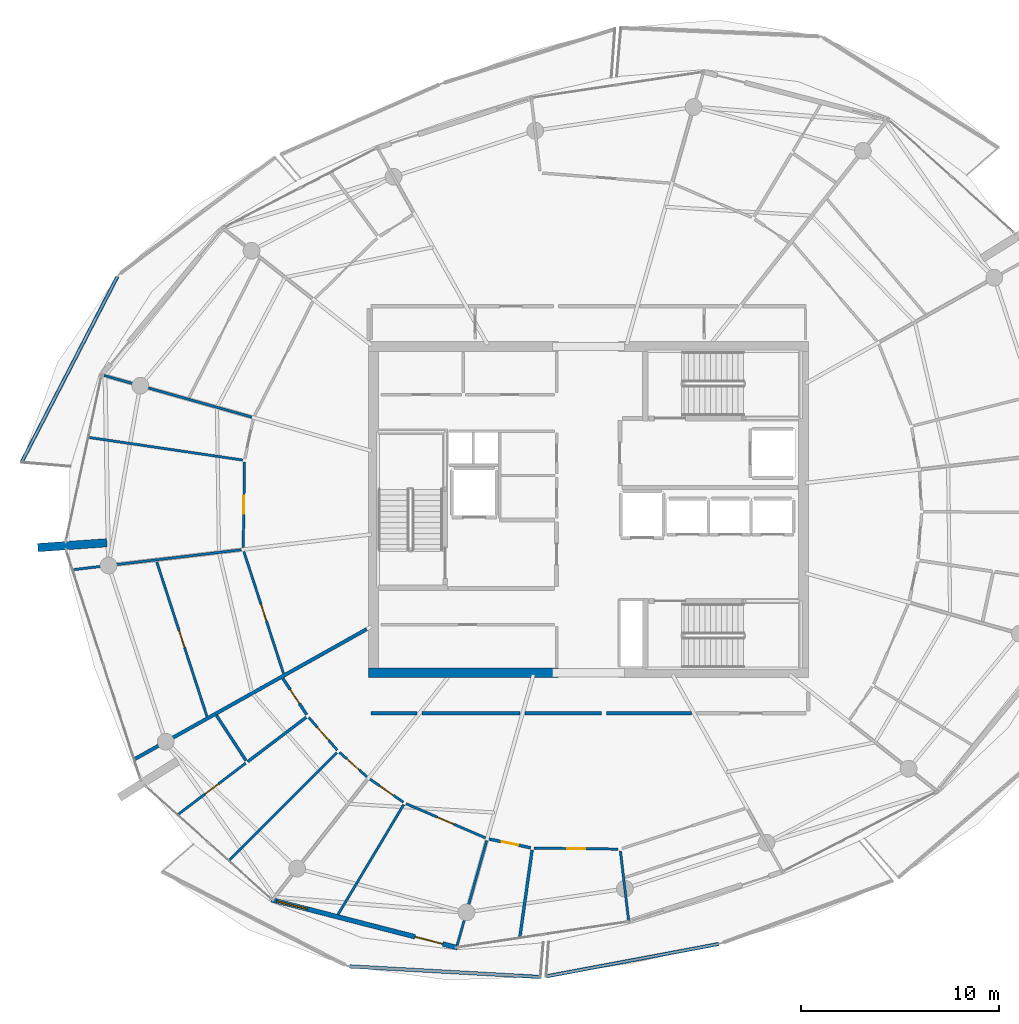
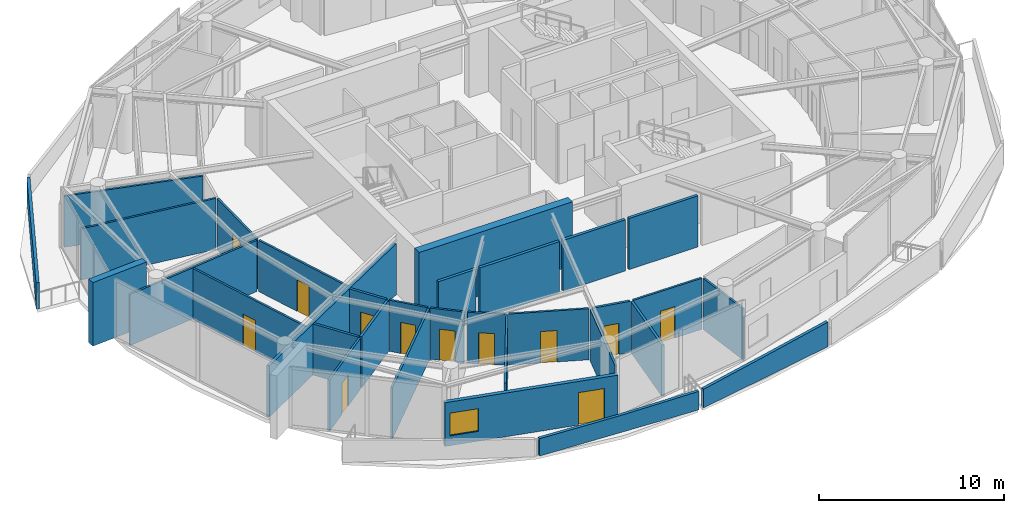
# One storey, part 10 of 20: 32 walls, 12 doors, 1 window, 13 openings.
"""IFC4 building model written with IfcOpenShell, lengths in metres."""

from ifc_helpers import new_model, si_unit, direction, frame, frame_2d, origin, place, context, subcontext, project, spatial, polyline, rectangle, outline, extrude, material, layer, layer_set, type_object, element, fill, save


model = new_model("IFC4")

# Units and contexts
model_context = context("Model", 3, precision=1e-05, world=origin(), true_north=direction((0.0, 1.0)))
body_context = subcontext(model_context, "Body", "Model", "MODEL_VIEW")
ifc_project = project(units=[si_unit("LENGTHUNIT", "METRE"), si_unit("AREAUNIT", "SQUARE_METRE"), si_unit("VOLUMEUNIT", "CUBIC_METRE"), si_unit("PLANEANGLEUNIT", "RADIAN"), si_unit("MASSUNIT", "GRAM", prefix="KILO")], contexts=[model_context])

# Site, building, storey
site_placement = place(None, origin())
site = spatial("IfcSite", under=ifc_project, at=site_placement, CompositionType="ELEMENT")
building_placement = place(site_placement, origin())
building = spatial("IfcBuilding", under=site, at=building_placement, Name="Kazma Halo Residences", CompositionType="ELEMENT")
storey_placement = place(building_placement, frame((0.0, 0.0, 317.89990234375)))
storey = spatial("IfcBuildingStorey", under=building, at=storey_placement, Name="L80", CompositionType="ELEMENT", Elevation=317.89990234375)

# Walls
ifc_material_1 = material(Name="White Concrete C50/60 Balustrade", Category="concrete")
ifc_layer_1 = layer(ifc_material_1, 0.179931640625)
ifc_layer_set_1 = layer_set([ifc_layer_1], Name="White Concrete C50/60 Balustrade")
wall_type_1 = type_object("IfcWallType", Name="WL-BAL-WAVE-180", PredefinedType="PARAPET", material=ifc_layer_set_1)
wall_1_placement = place(storey_placement, frame((24.588134765625, 53.794189453125, 0.0), z_axis=(0.0, 0.0, 1.0), x_axis=(-0.458492338696, -0.888698360163, 0.0)))
element("IfcWall", 1, at=wall_1_placement, inside=storey, type_object=wall_type_1, Name="L80 white wave balustrade wall NW.2", PredefinedType="PARAPET", context=body_context, shape_type="SweptSolid", body=[
    extrude(outline(polyline([(0.0, 0.0), (10.572998046875, 0.0), (10.5732421875, 1.7470703125), (5.28662109375, 1.56201171875), (0.0, 1.34814453125), (0.0, 0.0)])), frame((0.0, 0.08984375, 0.0), z_axis=(0.0, -1.0, 0.0), x_axis=(1.0, 0.0, 0.0)), (0.0, 0.0, 1.0), 0.179931640625),
])
wall_2_placement = place(storey_placement, frame((36.3466796875, 18.88720703125, 0.0), z_axis=(0.0, 0.0, 1.0), x_axis=(0.998473232728, -0.055237700226, 0.0)))
element("IfcWall", 2, at=wall_2_placement, inside=storey, type_object=wall_type_1, Name="L80 white wave balustrade wall SW.2", PredefinedType="PARAPET", context=body_context, shape_type="SweptSolid", body=[
    extrude(outline(polyline([(0.0, 0.0), (9.66162109375, 0.0), (9.66162109375, 1.22412109375), (4.830810546875, 1.127197265625), (0.0, 1.148193359375), (0.0, 0.0)])), frame((0.0, 0.08984375, 0.0), z_axis=(0.0, -1.0, 0.0), x_axis=(1.0, 0.0, 0.0)), (0.0, 0.0, 1.0), 0.179931640625),
])
wall_3_placement = place(storey_placement, frame((46.286376953125, 18.38330078125, 0.0), z_axis=(0.0, 0.0, 1.0), x_axis=(0.982839498698, 0.184462787028, 0.0)))
element("IfcWall", 3, at=wall_3_placement, inside=storey, type_object=wall_type_1, Name="L80 white wave balustrade wall SSE.1", PredefinedType="PARAPET", context=body_context, shape_type="SweptSolid", body=[
    extrude(outline(polyline([(0.0, 0.0), (8.882080078125, 0.0), (8.882080078125, 1.632080078125), (4.44091796875, 1.418212890625), (0.0, 1.233154296875), (0.0, 0.0)])), frame((0.0, 0.08984375, 0.0), z_axis=(0.0, -1.0, 0.0), x_axis=(1.0, 0.0, 0.0)), (0.0, 0.0, 1.0), 0.179931640625),
])
ifc_material_2 = material(Name="Pale Concrete C60/75", Category="concrete")
ifc_layer_2 = layer(ifc_material_2, 0.419921875)
ifc_layer_set_2 = layer_set([ifc_layer_2], Name="Pale Concrete C60/75")
wall_type_2 = type_object("IfcWallType", Name="WL-BLADE-420", PredefinedType="SOLIDWALL", material=ifc_layer_set_2)
wall_4_placement = place(storey_placement, frame((24.05908203125, 40.325927734375, 0.0), z_axis=(0.0, 0.0, 1.0), x_axis=(-0.997564163539, -0.069754853754, 0.0)))
element("IfcWall", 4, at=wall_4_placement, inside=storey, type_object=wall_type_2, Name="L80 pale concrete structural blade fin wall BW-02", PredefinedType="SOLIDWALL", context=body_context, shape_type="SweptSolid", body=[
    extrude(rectangle(XDim=3.5, YDim=0.419921875, at=frame_2d((1.75, 0.0))), origin(), (0.0, 0.0, 1.0), 4.2001953125),
])
ifc_material_3 = material(Name="Concrete C60/75", Category="concrete")
ifc_layer_3 = layer(ifc_material_3, 0.5)
ifc_layer_set_3 = layer_set([ifc_layer_3], Name="Concrete C60/75")
wall_type_3 = type_object("IfcWallType", Name="WL-CORE-500", PredefinedType="SHEAR", material=ifc_layer_set_3)
wall_5_placement = place(storey_placement, frame((37.300048828125, 33.75, 0.0), z_axis=(0.0, 0.0, 1.0), x_axis=(1.0, 0.0, 0.0)))
element("IfcWall", 5, at=wall_5_placement, inside=storey, type_object=wall_type_3, Name="L80 central core shear wall SW", PredefinedType="SHEAR", context=body_context, shape_type="SweptSolid", body=[
    extrude(rectangle(XDim=9.599853515625, YDim=0.5, at=frame_2d((4.7998046875, 0.0))), origin(), (0.0, 0.0, 1.0), 4.2001953125),
])
ifc_material_4 = material(Name="Acoustic Twin-Stud Gypsum")
ifc_layer_4 = layer(ifc_material_4, 0.179931640625)
ifc_layer_set_4 = layer_set([ifc_layer_4], Name="Acoustic Twin-Stud Gypsum")
wall_type_4 = type_object("IfcWallType", Name="WL-DEM-180", PredefinedType="PARTITIONING", material=ifc_layer_set_4)
wall_6_placement = place(storey_placement, frame((37.2041015625, 35.9541015625, 0.0), z_axis=(0.0, 0.0, 1.0), x_axis=(-0.872495191914, -0.488622697064, 0.0)))
element("IfcWall", 6, at=wall_6_placement, inside=storey, type_object=wall_type_4, Name="L80 apartment demising radial wall 08", PredefinedType="PARTITIONING", context=body_context, shape_type="SweptSolid", body=[
    extrude(rectangle(XDim=13.462158203125, YDim=0.179931640625, at=frame_2d((6.73095703125, 0.0))), origin(), (0.0, 0.0, 1.0), 3.380126953125),
])
wall_7_placement = place(storey_placement, frame((37.419921875, 31.699951171875, 0.0), z_axis=(0.0, 0.0, 1.0), x_axis=(1.0, 0.0, 0.0)))
element("IfcWall", 7, at=wall_7_placement, inside=storey, type_object=wall_type_4, Name="L80 Penthouse 2 inner wall 8", PredefinedType="PARTITIONING", context=body_context, shape_type="SweptSolid", body=[
    extrude(rectangle(XDim=2.340087890625, YDim=0.179931640625, at=frame_2d((1.169921875, 0.0))), origin(), (0.0, 0.0, 1.0), 3.380126953125),
])
wall_8_placement = place(storey_placement, frame((40.0, 31.699951171875, 0.0), z_axis=(0.0, 0.0, 1.0), x_axis=(1.0, 0.0, 0.0)))
element("IfcWall", 8, at=wall_8_placement, inside=storey, type_object=wall_type_4, Name="L80 Penthouse 2 inner wall 9", PredefinedType="PARTITIONING", context=body_context, shape_type="SweptSolid", body=[
    extrude(rectangle(XDim=4.97509765625, YDim=0.179931640625, at=frame_2d((2.487548828125, 0.0))), origin(), (0.0, 0.0, 1.0), 3.380126953125),
])
wall_9_placement = place(storey_placement, frame((45.215087890625, 31.699951171875, 0.0), z_axis=(0.0, 0.0, 1.0), x_axis=(1.0, 0.0, 0.0)))
element("IfcWall", 9, at=wall_9_placement, inside=storey, type_object=wall_type_4, Name="L80 Penthouse 2 inner wall 10", PredefinedType="PARTITIONING", context=body_context, shape_type="SweptSolid", body=[
    extrude(rectangle(XDim=3.884033203125, YDim=0.179931640625, at=frame_2d((1.94189453125, 0.0))), origin(), (0.0, 0.0, 1.0), 3.380126953125),
])
wall_10_placement = place(storey_placement, frame((49.339111328125, 31.699951171875, 0.0), z_axis=(0.0, 0.0, 1.0), x_axis=(1.0, 0.0, 0.0)))
element("IfcWall", 10, at=wall_10_placement, inside=storey, type_object=wall_type_4, Name="L80 Penthouse 2 inner wall 11", PredefinedType="PARTITIONING", context=body_context, shape_type="SweptSolid", body=[
    extrude(rectangle(XDim=4.30908203125, YDim=0.179931640625, at=frame_2d((2.154541015625, 0.0))), origin(), (0.0, 0.0, 1.0), 3.380126953125),
])

# Wall, openings, door, window
ifc_material_5 = material(Name="Insulated Pale-Metal Composite Wall")
ifc_layer_5 = layer(ifc_material_5, 0.239990234375)
ifc_layer_set_5 = layer_set([ifc_layer_5], Name="Insulated Pale-Metal Composite Wall")
wall_type_5 = type_object("IfcWallType", Name="WL-EXT-HOST-240", PredefinedType="SOLIDWALL", material=ifc_layer_set_5)
wall_11_placement = place(storey_placement, frame((32.380126953125, 22.26025390625, 0.0), z_axis=(0.0, 0.0, 1.0), x_axis=(0.968389076094, -0.249444577616, 0.0)))
wall_11 = element("IfcWall", 11, at=wall_11_placement, inside=storey, type_object=wall_type_5, Name="L80 exterior terrace-access wall B10", PredefinedType="SOLIDWALL", context=body_context, shape_type="SweptSolid", body=[
    extrude(rectangle(XDim=9.727783203125, YDim=0.239990234375, at=frame_2d((4.86376953125, 0.0))), origin(), (0.0, 0.0, 1.0), 2.89013671875),
])
opening_1_placement = place(wall_11_placement, frame((7.5078125, 0.0, 0.0)))
opening_1 = element("IfcOpeningElement", 12, at=opening_1_placement, cuts=wall_11, Name="Opening DTR-1600", PredefinedType="OPENING", context=body_context, shape_type="SweptSolid", body=[
    extrude(rectangle(XDim=1.449951171875, YDim=2.14990234375, at=frame_2d((0.72509765625, 1.074951171875))), frame((0.0, 0.1298828125, 0.0), z_axis=(0.0, -1.0, 0.0), x_axis=(1.0, 0.0, 0.0)), (0.0, 0.0, 1.0), 0.260009765625),
])
opening_2_placement = place(wall_11_placement, frame((0.280029296875, 0.0, 0.64990234375)))
opening_2 = element("IfcOpeningElement", 13, at=opening_2_placement, cuts=wall_11, Name="Opening W-1800", PredefinedType="OPENING", context=body_context, shape_type="SweptSolid", body=[
    extrude(rectangle(XDim=1.60009765625, YDim=1.5, at=frame_2d((0.800048828125, 0.75))), frame((0.0, 0.1298828125, 0.0), z_axis=(0.0, -1.0, 0.0), x_axis=(1.0, 0.0, 0.0)), (0.0, 0.0, 1.0), 0.260009765625),
])
ifc_material_6 = material(Name="Aluminium AW-6063 T6 Double-Glazed Terrace Door", Category="aluminium")
door_type_1 = type_object("IfcDoorType", Name="DR-EXT-TERR-1600", OperationType="NOTDEFINED", PredefinedType="DOOR", material=ifc_material_6)
door_1_placement = place(opening_1_placement, origin())
door_1 = element("IfcDoor", 14, at=door_1_placement, inside=storey, type_object=door_type_1, Name="L80 B10 balcony terrace door", OperationType="DOUBLE_DOOR_SLIDING", OverallHeight=2.14990234375, OverallWidth=1.449951171875, PredefinedType="DOOR", context=body_context, shape_type="SweptSolid", body=[
    extrude(rectangle(XDim=1.449951171875, YDim=2.14990234375, at=frame_2d((0.72509765625, 1.074951171875))), frame((0.0, 0.02490234375, 0.0), z_axis=(0.0, -1.0, 0.0), x_axis=(1.0, 0.0, 0.0)), (0.0, 0.0, 1.0), 0.050048828125),
])
fill(opening_1, door_1)
ifc_material_7 = material(Name="Clear Triple-Silver Low-E Glass in Aluminium AW-6063 T6 Frame", Category="aluminium")
window_type = type_object("IfcWindowType", Name="WIN-RES-1800", PartitioningType="DOUBLE_PANEL_VERTICAL", PredefinedType="WINDOW", material=ifc_material_7)
window_placement = place(opening_2_placement, origin())
window = element("IfcWindow", 15, at=window_placement, inside=storey, type_object=window_type, Name="L80 B10 apartment window", OverallHeight=1.5, OverallWidth=1.60009765625, PartitioningType="SINGLE_PANEL", PredefinedType="WINDOW", context=body_context, shape_type="SweptSolid", body=[
    extrude(rectangle(XDim=1.60009765625, YDim=1.5, at=frame_2d((0.800048828125, 0.75))), frame((0.0, 0.030029296875, 0.0), z_axis=(0.0, -1.0, 0.0), x_axis=(1.0, 0.0, 0.0)), (0.0, 0.0, 1.0), 0.06005859375),
])
fill(opening_2, window)

# Walls
ifc_material_8 = material(Name="Gypsum Plasterboard Partition")
ifc_layer_6 = layer(ifc_material_8, 0.125)
ifc_layer_set_6 = layer_set([ifc_layer_6], Name="Gypsum Plasterboard Partition")
wall_type_6 = type_object("IfcWallType", Name="WL-PART-125", PredefinedType="PARTITIONING", material=ifc_layer_set_6)
wall_12_placement = place(storey_placement, frame((31.38525390625, 46.685791015625, 0.0), z_axis=(0.0, 0.0, 1.0), x_axis=(-0.962455784847, 0.271438505401, 0.0)))
element("IfcWall", 16, at=wall_12_placement, inside=storey, type_object=wall_type_6, Name="L80 Penthouse 1 radial partition 6", PredefinedType="PARTITIONING", context=body_context, shape_type="SweptSolid", body=[
    extrude(rectangle(XDim=7.763916015625, YDim=0.125, at=frame_2d((3.8818359375, 0.0))), origin(), (0.0, 0.0, 1.0), 3.380126953125),
])
wall_13_placement = place(storey_placement, frame((30.930908203125, 44.511474609375, 0.0), z_axis=(0.0, 0.0, 1.0), x_axis=(-0.989350078836, 0.145555561584, 0.0)))
element("IfcWall", 17, at=wall_13_placement, inside=storey, type_object=wall_type_6, Name="L80 Penthouse 1 mid-bay wall 6", PredefinedType="PARTITIONING", context=body_context, shape_type="SweptSolid", body=[
    extrude(rectangle(XDim=7.876708984375, YDim=0.125, at=frame_2d((3.9384765625, 0.0))), origin(), (0.0, 0.0, 1.0), 3.380126953125),
])

# Wall, opening, door
wall_14_placement = place(storey_placement, frame((31.018798828125, 44.418212890625, 0.0), z_axis=(0.0, 0.0, 1.0), x_axis=(-0.014133062898, -0.999900123279, 0.0)))
wall_14 = element("IfcWall", 18, at=wall_14_placement, inside=storey, type_object=wall_type_6, Name="L80 Penthouse 1 Corner Formal Dining Room hall wall", PredefinedType="PARTITIONING", context=body_context, shape_type="SweptSolid", body=[
    extrude(rectangle(XDim=4.3359375, YDim=0.125, at=frame_2d((2.16796875, 0.0))), origin(), (0.0, 0.0, 1.0), 3.380126953125),
])
opening_3_placement = place(wall_14_placement, frame((1.718017578125, 0.0, 0.0)))
opening_3 = element("IfcOpeningElement", 19, at=opening_3_placement, cuts=wall_14, Name="Opening DI-950", PredefinedType="OPENING", context=body_context, shape_type="SweptSolid", body=[
    extrude(rectangle(XDim=0.89990234375, YDim=2.080078125, at=frame_2d((0.449951171875, 1.0400390625))), frame((0.0, 0.072509765625, 0.0), z_axis=(0.0, -1.0, 0.0), x_axis=(1.0, 0.0, 0.0)), (0.0, 0.0, 1.0), 0.14501953125),
])
ifc_material_9 = material(Name="Timber Veneer Flush Leaf", Category="wood")
door_type_2 = type_object("IfcDoorType", Name="DR-INT-950", OperationType="NOTDEFINED", PredefinedType="DOOR", material=ifc_material_9)
door_2_placement = place(opening_3_placement, origin())
door_2 = element("IfcDoor", 20, at=door_2_placement, inside=storey, type_object=door_type_2, Name="L80 Penthouse 1 Corner Formal Dining Room door", OperationType="SINGLE_SWING_RIGHT", OverallHeight=2.080078125, OverallWidth=0.89990234375, PredefinedType="DOOR", context=body_context, shape_type="SweptSolid", body=[
    extrude(rectangle(XDim=0.89990234375, YDim=2.080078125, at=frame_2d((0.449951171875, 1.0400390625))), frame((0.0, 0.02490234375, 0.0), z_axis=(0.0, -1.0, 0.0), x_axis=(1.0, 0.0, 0.0)), (0.0, 0.0, 1.0), 0.050048828125),
])
fill(opening_3, door_2)

# Wall
wall_15_placement = place(storey_placement, frame((30.856689453125, 39.970947265625, 0.0), z_axis=(0.0, 0.0, 1.0), x_axis=(-0.993069304007, -0.117530240533, 0.0)))
element("IfcWall", 21, at=wall_15_placement, inside=storey, type_object=wall_type_6, Name="L80 Penthouse 1 radial partition 7", PredefinedType="PARTITIONING", context=body_context, shape_type="SweptSolid", body=[
    extrude(rectangle(XDim=8.57275390625, YDim=0.125, at=frame_2d((4.286376953125, 0.0))), origin(), (0.0, 0.0, 1.0), 3.380126953125),
])

# Wall, opening, door
wall_16_placement = place(storey_placement, frame((30.989990234375, 39.878173828125, 0.0), z_axis=(0.0, 0.0, 1.0), x_axis=(0.309026406972, -0.951053457905, 0.0)))
wall_16 = element("IfcWall", 22, at=wall_16_placement, inside=storey, type_object=wall_type_6, Name="L80 Penthouse 1 Garden Study hall wall", PredefinedType="PARTITIONING", context=body_context, shape_type="SweptSolid", body=[
    extrude(rectangle(XDim=6.4765625, YDim=0.125, at=frame_2d((3.23828125, 0.0))), origin(), (0.0, 0.0, 1.0), 3.380126953125),
])
opening_4_placement = place(wall_16_placement, frame((2.788330078125, 0.0, 0.0)))
opening_4 = element("IfcOpeningElement", 23, at=opening_4_placement, cuts=wall_16, Name="Opening DI-950", PredefinedType="OPENING", context=body_context, shape_type="SweptSolid", body=[
    extrude(rectangle(XDim=0.89990234375, YDim=2.080078125, at=frame_2d((0.449951171875, 1.0400390625))), frame((0.0, 0.072509765625, 0.0), z_axis=(0.0, -1.0, 0.0), x_axis=(1.0, 0.0, 0.0)), (0.0, 0.0, 1.0), 0.14501953125),
])
door_3_placement = place(opening_4_placement, origin())
door_3 = element("IfcDoor", 24, at=door_3_placement, inside=storey, type_object=door_type_2, Name="L80 Penthouse 1 Garden Study door", OperationType="SINGLE_SWING_RIGHT", OverallHeight=2.080078125, OverallWidth=0.89990234375, PredefinedType="DOOR", context=body_context, shape_type="SweptSolid", body=[
    extrude(rectangle(XDim=0.89990234375, YDim=2.080078125, at=frame_2d((0.449951171875, 1.0400390625))), frame((0.0, 0.02490234375, 0.0), z_axis=(0.0, -1.0, 0.0), x_axis=(1.0, 0.0, 0.0)), (0.0, 0.0, 1.0), 0.050048828125),
])
fill(opening_4, door_3)

wall_17_placement = place(storey_placement, frame((26.580810546875, 39.356201171875, 0.0), z_axis=(0.0, 0.0, 1.0), x_axis=(0.309000666789, -0.951061821294, 0.0)))
wall_17 = element("IfcWall", 25, at=wall_17_placement, inside=storey, type_object=wall_type_6, Name="L80 Penthouse 1 Sky Master Bedroom divider wall", PredefinedType="PARTITIONING", context=body_context, shape_type="SweptSolid", body=[
    extrude(rectangle(XDim=8.209228515625, YDim=0.125, at=frame_2d((4.1044921875, 0.0))), origin(), (0.0, 0.0, 1.0), 3.380126953125),
])
opening_5_placement = place(wall_17_placement, frame((3.654541015625, 0.0, 0.0)))
opening_5 = element("IfcOpeningElement", 26, at=opening_5_placement, cuts=wall_17, Name="Opening DI-950", PredefinedType="OPENING", context=body_context, shape_type="SweptSolid", body=[
    extrude(rectangle(XDim=0.89990234375, YDim=2.080078125, at=frame_2d((0.449951171875, 1.0400390625))), frame((0.0, 0.072509765625, 0.0), z_axis=(0.0, -1.0, 0.0), x_axis=(1.0, 0.0, 0.0)), (0.0, 0.0, 1.0), 0.14501953125),
])
door_4_placement = place(opening_5_placement, origin())
door_4 = element("IfcDoor", 27, at=door_4_placement, inside=storey, type_object=door_type_2, Name="L80 Penthouse 1 Sky Master Bedroom door", OperationType="SINGLE_SWING_LEFT", OverallHeight=2.080078125, OverallWidth=0.89990234375, PredefinedType="DOOR", context=body_context, shape_type="SweptSolid", body=[
    extrude(rectangle(XDim=0.89990234375, YDim=2.080078125, at=frame_2d((0.449951171875, 1.0400390625))), frame((0.0, 0.02490234375, 0.0), z_axis=(0.0, -1.0, 0.0), x_axis=(1.0, 0.0, 0.0)), (0.0, 0.0, 1.0), 0.050048828125),
])
fill(opening_5, door_4)

wall_18_placement = place(storey_placement, frame((31.078125, 29.169677734375, 0.0), z_axis=(0.0, 0.0, 1.0), x_axis=(-0.796851341582, -0.604175421064, 0.0)))
wall_18 = element("IfcWall", 28, at=wall_18_placement, inside=storey, type_object=wall_type_6, Name="L80 Penthouse 2 Utility Laundry Room partition wall", PredefinedType="PARTITIONING", context=body_context, shape_type="SweptSolid", body=[
    extrude(rectangle(XDim=4.304443359375, YDim=0.125, at=frame_2d((2.15234375, 0.0))), origin(), (0.0, 0.0, 1.0), 3.380126953125),
])
opening_6_placement = place(wall_18_placement, frame((1.727294921875, 0.0, 0.0)))
opening_6 = element("IfcOpeningElement", 29, at=opening_6_placement, cuts=wall_18, Name="Opening DB-900", PredefinedType="OPENING", context=body_context, shape_type="SweptSolid", body=[
    extrude(rectangle(XDim=0.85009765625, YDim=2.06005859375, at=frame_2d((0.425048828125, 1.030029296875))), frame((0.0, 0.072509765625, 0.0), z_axis=(0.0, -1.0, 0.0), x_axis=(1.0, 0.0, 0.0)), (0.0, 0.0, 1.0), 0.14501953125),
])
ifc_material_10 = material(Name="Moisture-Sealed Timber Leaf", Category="wood")
door_type_3 = type_object("IfcDoorType", Name="DR-BTH-900", OperationType="NOTDEFINED", PredefinedType="DOOR", material=ifc_material_10)
door_5_placement = place(opening_6_placement, origin())
door_5 = element("IfcDoor", 30, at=door_5_placement, inside=storey, type_object=door_type_3, Name="L80 Penthouse 2 Utility Laundry Room door", OperationType="SINGLE_SWING_RIGHT", OverallHeight=2.06005859375, OverallWidth=0.85009765625, PredefinedType="DOOR", context=body_context, shape_type="SweptSolid", body=[
    extrude(rectangle(XDim=0.85009765625, YDim=2.06005859375, at=frame_2d((0.425048828125, 1.030029296875))), frame((0.0, 0.02490234375, 0.0), z_axis=(0.0, -1.0, 0.0), x_axis=(1.0, 0.0, 0.0)), (0.0, 0.0, 1.0), 0.050048828125),
])
fill(opening_6, door_5)

# Wall
wall_19_placement = place(storey_placement, frame((35.69970703125, 29.712646484375, 0.0), z_axis=(0.0, 0.0, 1.0), x_axis=(-0.707470011435, -0.706743364256, 0.0)))
element("IfcWall", 31, at=wall_19_placement, inside=storey, type_object=wall_type_6, Name="L80 Penthouse 2 suite divider 8", PredefinedType="PARTITIONING", context=body_context, shape_type="SweptSolid", body=[
    extrude(rectangle(XDim=7.7275390625, YDim=0.125, at=frame_2d((3.86376953125, 0.0))), origin(), (0.0, 0.0, 1.0), 3.380126953125),
])

# Wall, opening, door
wall_20_placement = place(storey_placement, frame((34.27685546875, 31.482177734375, 0.0), z_axis=(0.0, 0.0, 1.0), x_axis=(0.656959210167, -0.753926121167, 0.0)))
wall_20 = element("IfcWall", 32, at=wall_20_placement, inside=storey, type_object=wall_type_6, Name="L80 Penthouse 2 Gourmet Kitchen hall wall", PredefinedType="PARTITIONING", context=body_context, shape_type="SweptSolid", body=[
    extrude(rectangle(XDim=2.182861328125, YDim=0.125, at=frame_2d((1.09130859375, 0.0))), origin(), (0.0, 0.0, 1.0), 3.380126953125),
])
opening_7_placement = place(wall_20_placement, frame((0.66650390625, 0.0, 0.0)))
opening_7 = element("IfcOpeningElement", 33, at=opening_7_placement, cuts=wall_20, Name="Opening DB-900", PredefinedType="OPENING", context=body_context, shape_type="SweptSolid", body=[
    extrude(rectangle(XDim=0.85009765625, YDim=2.06005859375, at=frame_2d((0.425048828125, 1.030029296875))), frame((0.0, 0.072509765625, 0.0), z_axis=(0.0, -1.0, 0.0), x_axis=(1.0, 0.0, 0.0)), (0.0, 0.0, 1.0), 0.14501953125),
])
door_6_placement = place(opening_7_placement, origin())
door_6 = element("IfcDoor", 34, at=door_6_placement, inside=storey, type_object=door_type_3, Name="L80 Penthouse 2 Gourmet Kitchen door", OperationType="SINGLE_SWING_LEFT", OverallHeight=2.06005859375, OverallWidth=0.85009765625, PredefinedType="DOOR", context=body_context, shape_type="SweptSolid", body=[
    extrude(rectangle(XDim=0.85009765625, YDim=2.06005859375, at=frame_2d((0.425048828125, 1.030029296875))), frame((0.0, 0.02490234375, 0.0), z_axis=(0.0, -1.0, 0.0), x_axis=(1.0, 0.0, 0.0)), (0.0, 0.0, 1.0), 0.050048828125),
])
fill(opening_7, door_6)

wall_21_placement = place(storey_placement, frame((35.8232421875, 29.722900390625, 0.0), z_axis=(0.0, 0.0, 1.0), x_axis=(0.747438201164, -0.664331344617, 0.0)))
wall_21 = element("IfcWall", 35, at=wall_21_placement, inside=storey, type_object=wall_type_6, Name="L80 Penthouse 2 Primary Bedroom hall wall", PredefinedType="PARTITIONING", context=body_context, shape_type="SweptSolid", body=[
    extrude(rectangle(XDim=1.865478515625, YDim=0.125, at=frame_2d((0.9326171875, 0.0))), origin(), (0.0, 0.0, 1.0), 3.380126953125),
])
opening_8_placement = place(wall_21_placement, frame((0.5078125, 0.0, 0.0)))
opening_8 = element("IfcOpeningElement", 36, at=opening_8_placement, cuts=wall_21, Name="Opening DB-900", PredefinedType="OPENING", context=body_context, shape_type="SweptSolid", body=[
    extrude(rectangle(XDim=0.85009765625, YDim=2.06005859375, at=frame_2d((0.425048828125, 1.030029296875))), frame((0.0, 0.072509765625, 0.0), z_axis=(0.0, -1.0, 0.0), x_axis=(1.0, 0.0, 0.0)), (0.0, 0.0, 1.0), 0.14501953125),
])
door_7_placement = place(opening_8_placement, origin())
door_7 = element("IfcDoor", 37, at=door_7_placement, inside=storey, type_object=door_type_3, Name="L80 Penthouse 2 Primary Bedroom door", OperationType="SINGLE_SWING_RIGHT", OverallHeight=2.06005859375, OverallWidth=0.85009765625, PredefinedType="DOOR", context=body_context, shape_type="SweptSolid", body=[
    extrude(rectangle(XDim=0.85009765625, YDim=2.06005859375, at=frame_2d((0.425048828125, 1.030029296875))), frame((0.0, 0.02490234375, 0.0), z_axis=(0.0, -1.0, 0.0), x_axis=(1.0, 0.0, 0.0)), (0.0, 0.0, 1.0), 0.050048828125),
])
fill(opening_8, door_7)

# Wall
wall_22_placement = place(storey_placement, frame((39.079345703125, 27.076904296875, 0.0), z_axis=(0.0, 0.0, 1.0), x_axis=(-0.513104404823, -0.858326202414, 0.0)))
element("IfcWall", 38, at=wall_22_placement, inside=storey, type_object=wall_type_6, Name="L80 Penthouse 2 mid-bay wall 9", PredefinedType="PARTITIONING", context=body_context, shape_type="SweptSolid", body=[
    extrude(rectangle(XDim=6.47998046875, YDim=0.125, at=frame_2d((3.239990234375, 0.0))), origin(), (0.0, 0.0, 1.0), 3.380126953125),
])

# Wall, opening, door
wall_23_placement = place(storey_placement, frame((37.37451171875, 28.360595703125, 0.0), z_axis=(0.0, 0.0, 1.0), x_axis=(0.823529894266, -0.567272873712, 0.0)))
wall_23 = element("IfcWall", 39, at=wall_23_placement, inside=storey, type_object=wall_type_6, Name="L80 Penthouse 2 East Wine Pantry Store hall wall", PredefinedType="PARTITIONING", context=body_context, shape_type="SweptSolid", body=[
    extrude(rectangle(XDim=2.04638671875, YDim=0.125, at=frame_2d((1.023193359375, 0.0))), origin(), (0.0, 0.0, 1.0), 3.380126953125),
])
opening_9_placement = place(wall_23_placement, frame((0.59814453125, 0.0, 0.0)))
opening_9 = element("IfcOpeningElement", 40, at=opening_9_placement, cuts=wall_23, Name="Opening DB-900", PredefinedType="OPENING", context=body_context, shape_type="SweptSolid", body=[
    extrude(rectangle(XDim=0.85009765625, YDim=2.06005859375, at=frame_2d((0.425048828125, 1.030029296875))), frame((0.0, 0.072509765625, 0.0), z_axis=(0.0, -1.0, 0.0), x_axis=(1.0, 0.0, 0.0)), (0.0, 0.0, 1.0), 0.14501953125),
])
door_8_placement = place(opening_9_placement, origin())
door_8 = element("IfcDoor", 41, at=door_8_placement, inside=storey, type_object=door_type_3, Name="L80 Penthouse 2 East Wine Pantry Store door", OperationType="SINGLE_SWING_RIGHT", OverallHeight=2.06005859375, OverallWidth=0.85009765625, PredefinedType="DOOR", context=body_context, shape_type="SweptSolid", body=[
    extrude(rectangle(XDim=0.85009765625, YDim=2.06005859375, at=frame_2d((0.425048828125, 1.030029296875))), frame((0.0, 0.02490234375, 0.0), z_axis=(0.0, -1.0, 0.0), x_axis=(1.0, 0.0, 0.0)), (0.0, 0.0, 1.0), 0.050048828125),
])
fill(opening_9, door_8)

wall_24_placement = place(storey_placement, frame((39.19921875, 27.12255859375, 0.0), z_axis=(0.0, 0.0, 1.0), x_axis=(0.918386386282, -0.395684780466, 0.0)))
wall_24 = element("IfcWall", 42, at=wall_24_placement, inside=storey, type_object=wall_type_6, Name="L80 Penthouse 2 West Formal Dining Room hall wall", PredefinedType="PARTITIONING", context=body_context, shape_type="SweptSolid", body=[
    extrude(rectangle(XDim=4.370849609375, YDim=0.125, at=frame_2d((2.185546875, 0.0))), origin(), (0.0, 0.0, 1.0), 3.380126953125),
])
opening_10_placement = place(wall_24_placement, frame((1.735595703125, 0.0, 0.0)))
opening_10 = element("IfcOpeningElement", 43, at=opening_10_placement, cuts=wall_24, Name="Opening DI-950", PredefinedType="OPENING", context=body_context, shape_type="SweptSolid", body=[
    extrude(rectangle(XDim=0.89990234375, YDim=2.080078125, at=frame_2d((0.449951171875, 1.0400390625))), frame((0.0, 0.072509765625, 0.0), z_axis=(0.0, -1.0, 0.0), x_axis=(1.0, 0.0, 0.0)), (0.0, 0.0, 1.0), 0.14501953125),
])
door_9_placement = place(opening_10_placement, origin())
door_9 = element("IfcDoor", 44, at=door_9_placement, inside=storey, type_object=door_type_2, Name="L80 Penthouse 2 West Formal Dining Room door", OperationType="SINGLE_SWING_LEFT", OverallHeight=2.080078125, OverallWidth=0.89990234375, PredefinedType="DOOR", context=body_context, shape_type="SweptSolid", body=[
    extrude(rectangle(XDim=0.89990234375, YDim=2.080078125, at=frame_2d((0.449951171875, 1.0400390625))), frame((0.0, 0.02490234375, 0.0), z_axis=(0.0, -1.0, 0.0), x_axis=(1.0, 0.0, 0.0)), (0.0, 0.0, 1.0), 0.050048828125),
])
fill(opening_10, door_9)

# Wall
wall_25_placement = place(storey_placement, frame((43.278076171875, 25.257080078125, 0.0), z_axis=(0.0, 0.0, 1.0), x_axis=(-0.271458055223, -0.962450271055, 0.0)))
element("IfcWall", 45, at=wall_25_placement, inside=storey, type_object=wall_type_6, Name="L80 Penthouse 2 radial partition 10", PredefinedType="PARTITIONING", context=body_context, shape_type="SweptSolid", body=[
    extrude(rectangle(XDim=5.496826171875, YDim=0.125, at=frame_2d((2.74853515625, 0.0))), origin(), (0.0, 0.0, 1.0), 3.380126953125),
])

# Wall, opening, door
wall_26_placement = place(storey_placement, frame((45.679931640625, 24.87158203125, 0.0), z_axis=(0.0, 0.0, 1.0), x_axis=(0.99993989629, -0.010963749724, 0.0)))
wall_26 = element("IfcWall", 46, at=wall_26_placement, inside=storey, type_object=wall_type_6, Name="L80 Penthouse 2 South Master Bedroom hall wall", PredefinedType="PARTITIONING", context=body_context, shape_type="SweptSolid", body=[
    extrude(rectangle(XDim=4.253173828125, YDim=0.125, at=frame_2d((2.12646484375, 0.0))), origin(), (0.0, 0.0, 1.0), 3.380126953125),
])
opening_11_placement = place(wall_26_placement, frame((1.676513671875, 0.0, 0.0)))
opening_11 = element("IfcOpeningElement", 47, at=opening_11_placement, cuts=wall_26, Name="Opening DI-950", PredefinedType="OPENING", context=body_context, shape_type="SweptSolid", body=[
    extrude(rectangle(XDim=0.89990234375, YDim=2.080078125, at=frame_2d((0.449951171875, 1.0400390625))), frame((0.0, 0.072509765625, 0.0), z_axis=(0.0, -1.0, 0.0), x_axis=(1.0, 0.0, 0.0)), (0.0, 0.0, 1.0), 0.14501953125),
])
door_10_placement = place(opening_11_placement, origin())
door_10 = element("IfcDoor", 48, at=door_10_placement, inside=storey, type_object=door_type_2, Name="L80 Penthouse 2 South Master Bedroom door", OperationType="SINGLE_SWING_LEFT", OverallHeight=2.080078125, OverallWidth=0.89990234375, PredefinedType="DOOR", context=body_context, shape_type="SweptSolid", body=[
    extrude(rectangle(XDim=0.89990234375, YDim=2.080078125, at=frame_2d((0.449951171875, 1.0400390625))), frame((0.0, 0.02490234375, 0.0), z_axis=(0.0, -1.0, 0.0), x_axis=(1.0, 0.0, 0.0)), (0.0, 0.0, 1.0), 0.050048828125),
])
fill(opening_11, door_10)

# Wall
wall_27_placement = place(storey_placement, frame((50.044677734375, 24.724609375, 0.0), z_axis=(0.0, 0.0, 1.0), x_axis=(0.117544267504, -0.993067643807, 0.0)))
element("IfcWall", 49, at=wall_27_placement, inside=storey, type_object=wall_type_6, Name="L80 Penthouse 2 radial partition 11", PredefinedType="PARTITIONING", context=body_context, shape_type="SweptSolid", body=[
    extrude(rectangle(XDim=3.566162109375, YDim=0.125, at=frame_2d((1.783203125, 0.0))), origin(), (0.0, 0.0, 1.0), 3.380126953125),
])

# Wall, opening, door
ifc_material_11 = material(Name="Moisture-Resistant Gypsum")
ifc_layer_7 = layer(ifc_material_11, 0.14990234375)
ifc_layer_set_7 = layer_set([ifc_layer_7], Name="Moisture-Resistant Gypsum")
wall_type_7 = type_object("IfcWallType", Name="WL-WET-150", PredefinedType="PARTITIONING", material=ifc_layer_set_7)
wall_28_placement = place(storey_placement, frame((32.964111328125, 33.465087890625, 0.0), z_axis=(0.0, 0.0, 1.0), x_axis=(0.547736904717, -0.836650633903, 0.0)))
wall_28 = element("IfcWall", 50, at=wall_28_placement, inside=storey, type_object=wall_type_7, Name="L80 Penthouse 2 Guest Bathroom hall wall", PredefinedType="PARTITIONING", context=body_context, shape_type="SweptSolid", body=[
    extrude(rectangle(XDim=2.19873046875, YDim=0.14990234375, at=frame_2d((1.099365234375, 0.0))), origin(), (0.0, 0.0, 1.0), 3.380126953125),
])
opening_12_placement = place(wall_28_placement, frame((0.67431640625, 0.0, 0.0)))
opening_12 = element("IfcOpeningElement", 51, at=opening_12_placement, cuts=wall_28, Name="Opening DB-900", PredefinedType="OPENING", context=body_context, shape_type="SweptSolid", body=[
    extrude(rectangle(XDim=0.85009765625, YDim=2.06005859375, at=frame_2d((0.425048828125, 1.030029296875))), frame((0.0, 0.0849609375, 0.0), z_axis=(0.0, -1.0, 0.0), x_axis=(1.0, 0.0, 0.0)), (0.0, 0.0, 1.0), 0.169921875),
])
door_11_placement = place(opening_12_placement, origin())
door_11 = element("IfcDoor", 52, at=door_11_placement, inside=storey, type_object=door_type_3, Name="L80 Penthouse 2 Guest Bathroom door", OperationType="SINGLE_SWING_LEFT", OverallHeight=2.06005859375, OverallWidth=0.85009765625, PredefinedType="DOOR", context=body_context, shape_type="SweptSolid", body=[
    extrude(rectangle(XDim=0.85009765625, YDim=2.06005859375, at=frame_2d((0.425048828125, 1.030029296875))), frame((0.0, 0.02490234375, 0.0), z_axis=(0.0, -1.0, 0.0), x_axis=(1.0, 0.0, 0.0)), (0.0, 0.0, 1.0), 0.050048828125),
])
fill(opening_12, door_11)

# Walls
wall_29_placement = place(storey_placement, frame((29.60498046875, 31.583984375, 0.0), z_axis=(0.0, 0.0, 1.0), x_axis=(0.547706970619, -0.836670230339, 0.0)))
element("IfcWall", 53, at=wall_29_placement, inside=storey, type_object=wall_type_7, Name="L80 Penthouse 2 Guest Bathroom back wall", PredefinedType="PARTITIONING", context=body_context, shape_type="SweptSolid", body=[
    extrude(rectangle(XDim=2.730712890625, YDim=0.14990234375, at=frame_2d((1.365234375, 0.0))), origin(), (0.0, 0.0, 1.0), 3.380126953125),
])
wall_30_placement = place(storey_placement, frame((34.14599609375, 31.49560546875, 0.0), z_axis=(0.0, 0.0, 1.0), x_axis=(-0.796862333182, -0.60416092389, 0.0)))
element("IfcWall", 54, at=wall_30_placement, inside=storey, type_object=wall_type_7, Name="L80 Penthouse 2 Guest Bathroom side wall", PredefinedType="PARTITIONING", context=body_context, shape_type="SweptSolid", body=[
    extrude(rectangle(XDim=3.7197265625, YDim=0.14990234375, at=frame_2d((1.85986328125, 0.0))), origin(), (0.0, 0.0, 1.0), 3.380126953125),
])

# Wall, opening, door
wall_31_placement = place(storey_placement, frame((43.403076171875, 25.332763671875, 0.0), z_axis=(0.0, 0.0, 1.0), x_axis=(0.978565484163, -0.205935895864, 0.0)))
wall_31 = element("IfcWall", 55, at=wall_31_placement, inside=storey, type_object=wall_type_7, Name="L80 Penthouse 2 North En-Suite Bathroom hall wall", PredefinedType="PARTITIONING", context=body_context, shape_type="SweptSolid", body=[
    extrude(rectangle(XDim=2.14453125, YDim=0.14990234375, at=frame_2d((1.072265625, 0.0))), origin(), (0.0, 0.0, 1.0), 3.380126953125),
])
opening_13_placement = place(wall_31_placement, frame((0.647216796875, 0.0, 0.0)))
opening_13 = element("IfcOpeningElement", 56, at=opening_13_placement, cuts=wall_31, Name="Opening DB-900", PredefinedType="OPENING", context=body_context, shape_type="SweptSolid", body=[
    extrude(rectangle(XDim=0.85009765625, YDim=2.06005859375, at=frame_2d((0.425048828125, 1.030029296875))), frame((0.0, 0.0849609375, 0.0), z_axis=(0.0, -1.0, 0.0), x_axis=(1.0, 0.0, 0.0)), (0.0, 0.0, 1.0), 0.169921875),
])
door_12_placement = place(opening_13_placement, origin())
door_12 = element("IfcDoor", 57, at=door_12_placement, inside=storey, type_object=door_type_3, Name="L80 Penthouse 2 North En-Suite Bathroom door", OperationType="SINGLE_SWING_LEFT", OverallHeight=2.06005859375, OverallWidth=0.85009765625, PredefinedType="DOOR", context=body_context, shape_type="SweptSolid", body=[
    extrude(rectangle(XDim=0.85009765625, YDim=2.06005859375, at=frame_2d((0.425048828125, 1.030029296875))), frame((0.0, 0.02490234375, 0.0), z_axis=(0.0, -1.0, 0.0), x_axis=(1.0, 0.0, 0.0)), (0.0, 0.0, 1.0), 0.050048828125),
])
fill(opening_13, door_12)

# Wall
wall_32_placement = place(storey_placement, frame((45.577392578125, 24.78369140625, 0.0), z_axis=(0.0, 0.0, 1.0), x_axis=(-0.139343441712, -0.99024411397, 0.0)))
element("IfcWall", 58, at=wall_32_placement, inside=storey, type_object=wall_type_7, Name="L80 Penthouse 2 North En-Suite Bathroom side wall", PredefinedType="PARTITIONING", context=body_context, shape_type="SweptSolid", body=[
    extrude(rectangle(XDim=4.474853515625, YDim=0.14990234375, at=frame_2d((2.2373046875, 0.0))), origin(), (0.0, 0.0, 1.0), 3.380126953125),
])

save(model, "model.ifc")
